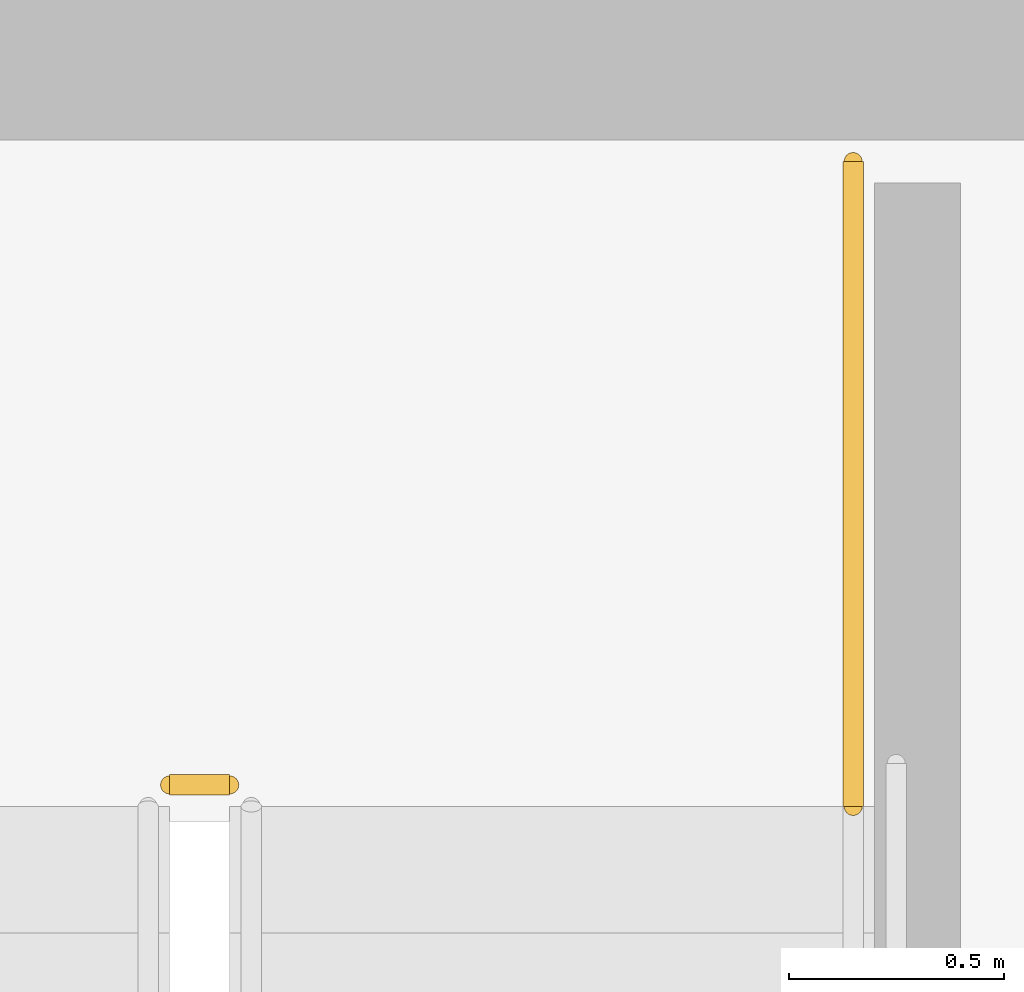
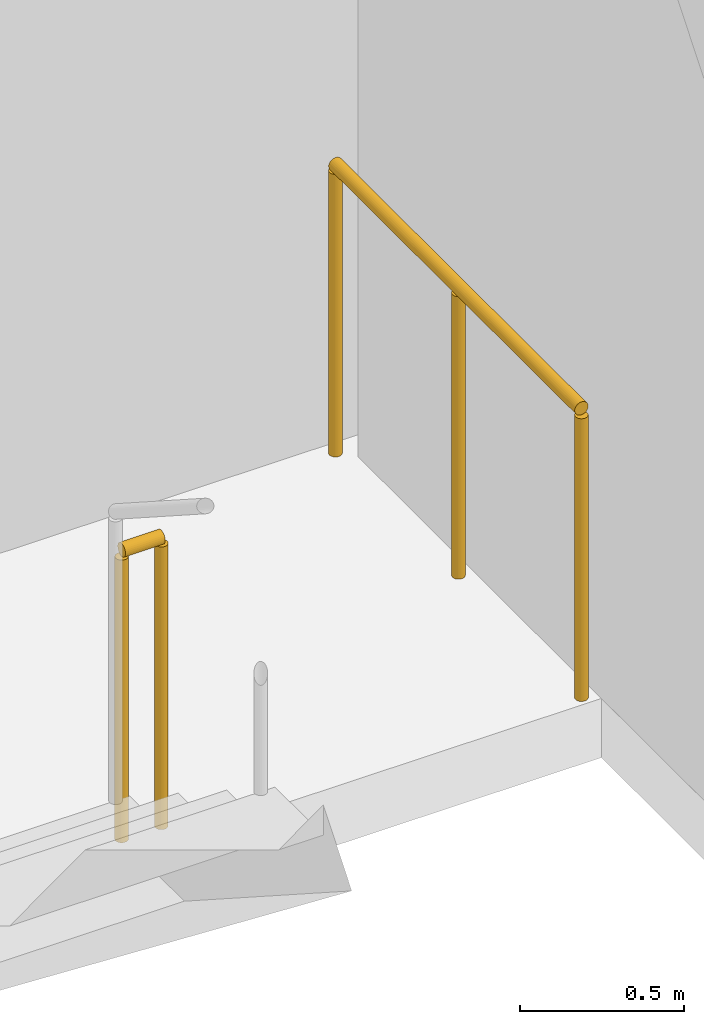
# One storey, part 29 of 29: 2 railings.
"""IFC4 building model written with IfcOpenShell, lengths in metres."""

from ifc_helpers import new_model, si_unit, direction, frame, origin, origin_2d, place, context, subcontext, project, spatial, circle, extrude, material, layer, layer_set, type_object, element, save


model = new_model("IFC4")

# Units and contexts
model_context = context("Model", 3, precision=1e-05, world=origin(), true_north=direction((0.0, 1.0)))
body_context = subcontext(model_context, "Body", "Model", "MODEL_VIEW")
ifc_project = project(units=[si_unit("LENGTHUNIT", "METRE"), si_unit("AREAUNIT", "SQUARE_METRE"), si_unit("VOLUMEUNIT", "CUBIC_METRE"), si_unit("PLANEANGLEUNIT", "RADIAN"), si_unit("MASSUNIT", "GRAM", prefix="KILO")], contexts=[model_context])

# Site, building, storey
site_placement = place(None, origin())
site = spatial("IfcSite", under=ifc_project, at=site_placement, CompositionType="ELEMENT")
building_placement = place(site_placement, origin())
building = spatial("IfcBuilding", under=site, at=building_placement, Name="Ndaravel Arena Tower", CompositionType="ELEMENT")
storey_placement = place(building_placement, frame((0.0, 0.0, 229.39990234375)))
storey = spatial("IfcBuildingStorey", under=building, at=storey_placement, Name="L55", CompositionType="ELEMENT", Elevation=229.39990234375)

# Railings
ifc_material = material(Name="Steel S355", Category="steel")
ifc_layer = layer(ifc_material, 0.06005859375)
ifc_layer_set = layer_set([ifc_layer], Name="Steel S355")
railing_type = type_object("IfcRailingType", Name="RAIL-STAIR-GD1100", PredefinedType="GUARDRAIL", material=ifc_layer_set)
railing_1_placement = place(storey_placement, frame((55.10009765625, 13.300048828125, 0.0)))
element("IfcRailing", 1, at=railing_1_placement, inside=storey, type_object=railing_type, Name="L55 ST-3 stair guard 4", PredefinedType="GUARDRAIL", context=body_context, shape_type="SweptSolid", body=[
    extrude(circle(Radius=0.02392578125, at=origin_2d()), frame((0.0, 0.0, 1.076171875), z_axis=(1.0, 0.0, 0.0), x_axis=(0.0, 1.0, 0.0)), (0.0, 0.0, 1.0), 0.139892578125),
    extrude(circle(Radius=0.02099609375, at=origin_2d()), origin(), (0.0, 0.0, 1.0), 1.052001953125),
    extrude(circle(Radius=0.02099609375, at=origin_2d()), frame((0.139892578125, 0.0, 0.0)), (0.0, 0.0, 1.0), 1.052001953125),
])
railing_2_placement = place(storey_placement, frame((56.68994140625, 14.75, 0.0)))
element("IfcRailing", 2, at=railing_2_placement, inside=storey, type_object=railing_type, Name="L55 ST-3 stair guard 5", PredefinedType="GUARDRAIL", context=body_context, shape_type="SweptSolid", body=[
    extrude(circle(Radius=0.02392578125, at=origin_2d()), frame((0.0, 0.0, 1.076171875), z_axis=(0.0, -1.0, 0.0), x_axis=(1.0, 0.0, 0.0)), (0.0, 0.0, 1.0), 1.5),
    extrude(circle(Radius=0.02099609375, at=origin_2d()), origin(), (0.0, 0.0, 1.0), 1.052001953125),
    extrude(circle(Radius=0.02099609375, at=origin_2d()), frame((0.0, -0.75, 0.0)), (0.0, 0.0, 1.0), 1.052001953125),
    extrude(circle(Radius=0.02099609375, at=origin_2d()), frame((0.0, -1.5, 0.0)), (0.0, 0.0, 1.0), 1.052001953125),
])

save(model, "model.ifc")
